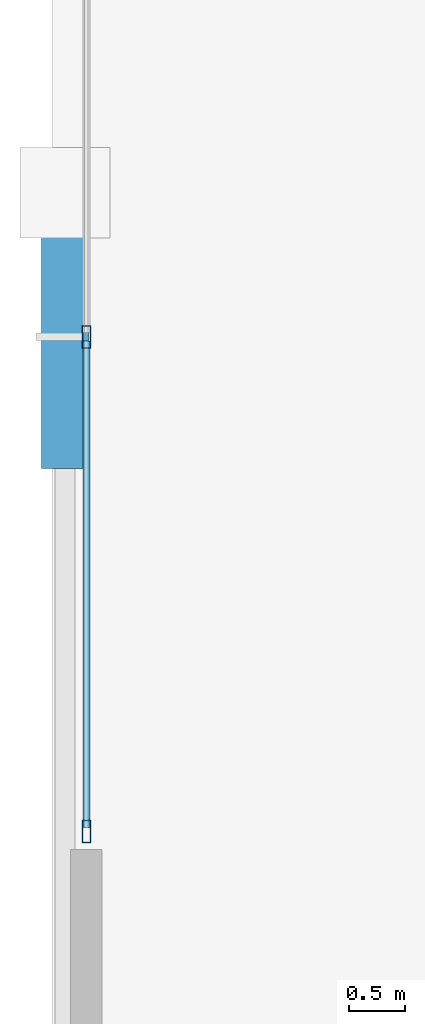
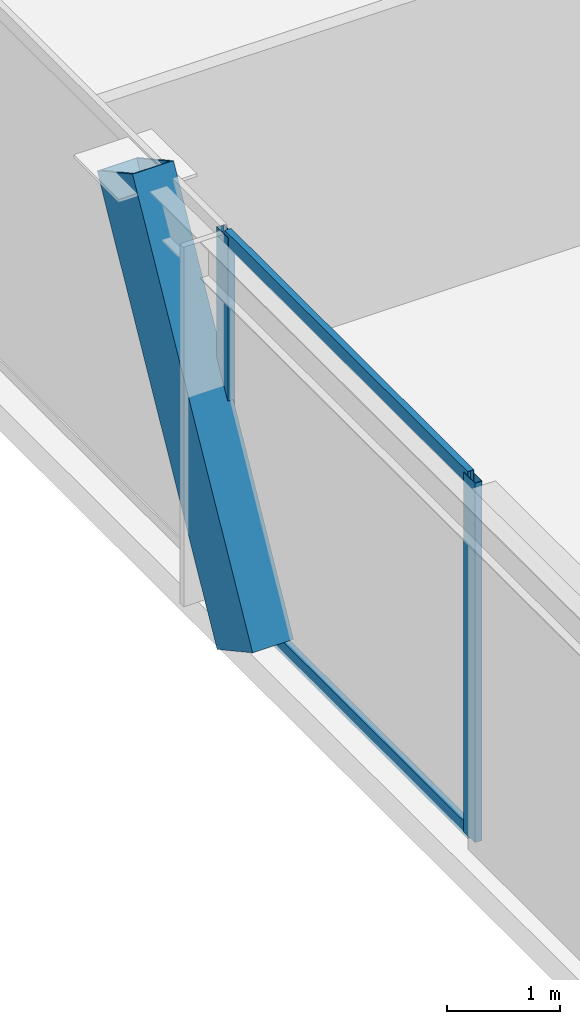
# One storey, part 9 of 46: 5 members, 1 element without a shape of its own.
"""IFC4 building model written with IfcOpenShell, lengths in metres."""

from ifc_helpers import new_model, si_unit, direction, frame, origin, origin_2d, place, context, subcontext, project, spatial, hollow_rectangle, extrude, material, layer, layer_set, material_profile, profile_set, type_object, element, aggregate, save


model = new_model("IFC4")

# Units and contexts
model_context = context("Model", 3, precision=1e-05, world=origin(), true_north=direction((0.0, 1.0)))
body_context = subcontext(model_context, "Body", "Model", "MODEL_VIEW")
ifc_project = project(units=[si_unit("LENGTHUNIT", "METRE"), si_unit("AREAUNIT", "SQUARE_METRE"), si_unit("VOLUMEUNIT", "CUBIC_METRE"), si_unit("PLANEANGLEUNIT", "RADIAN"), si_unit("MASSUNIT", "GRAM", prefix="KILO")], contexts=[model_context])

# Site, building, storey
site_placement = place(None, origin())
site = spatial("IfcSite", under=ifc_project, at=site_placement, CompositionType="ELEMENT")
building_placement = place(site_placement, origin())
building = spatial("IfcBuilding", under=site, at=building_placement, Name="Orvanel Arch Residences", CompositionType="ELEMENT")
storey_placement = place(building_placement, frame((0.0, 0.0, 14.10009765625)))
storey = spatial("IfcBuildingStorey", under=building, at=storey_placement, Name="L03", CompositionType="ELEMENT", Elevation=14.10009765625)

# Member
ifc_material_1 = material(Name="Structural steel AS/NZS 3678 Grade 350", Category="steel")
ifc_material_profile_1 = material_profile(ifc_material_1, hollow_rectangle(XDim=0.419921875, YDim=0.719970703125, WallThickness=0.02490234375, at=origin_2d()), Name="RHS720x420x25")
ifc_profile_set_1 = profile_set([ifc_material_profile_1], Name="Structural steel AS/NZS 3678 Grade 350")
member_type_1 = type_object("IfcMemberType", Name="BR-720RHS-EXT", PredefinedType="BRACE", material=ifc_profile_set_1)
member_1_placement = place(storey_placement, frame((1.360107421875, 22.216064453125, 0.0), z_axis=(0.0, 0.480032945873, 0.877250460745), x_axis=(-1.0, 0.0, 0.0)))
element("IfcMember", 1, at=member_1_placement, inside=storey, type_object=member_type_1, Name="L03 Podium Multi-Storey V-Strut Pair W1 Leg 2", PredefinedType="BRACE", context=body_context, shape_type="SweptSolid", body=[
    extrude(hollow_rectangle(XDim=0.419921875, YDim=0.719970703125, WallThickness=0.02490234375, at=origin_2d()), origin(), (0.0, 0.0, 1.0), 4.445556640625),
])

# Curtain wall, members
ifc_material_2 = material(Name="Bronze-anodised aluminium AA6063-T6", Category="aluminium")
ifc_layer = layer(ifc_material_2, 0.199951171875)
ifc_layer_set = layer_set([ifc_layer], Name="Bronze-anodised aluminium AA6063-T6")
curtain_wall_type = type_object("IfcCurtainWallType", Name="CW1-POD-SYS", PredefinedType="NOTDEFINED", material=ifc_layer_set)
curtain_wall_placement = place(storey_placement, origin())
curtain_wall = element("IfcCurtainWall", 2, at=curtain_wall_placement, inside=storey, type_object=curtain_wall_type, Name="L03 CW1-POD-SYS Unitised Curtain Wall", PredefinedType="NOTDEFINED")
ifc_material_profile_2 = material_profile(ifc_material_2, hollow_rectangle(XDim=0.074951171875, YDim=0.199951171875, WallThickness=0.0048828125, at=origin_2d()), Name="ALU200x75x5")
ifc_profile_set_2 = profile_set([ifc_material_profile_2], Name="Bronze-anodised aluminium AA6063-T6")
member_type_2 = type_object("IfcMemberType", Name="MUL-200x75", PredefinedType="MULLION", material=ifc_profile_set_2)
member_2_placement = place(storey_placement, frame((1.550048828125, 23.070068359375, 0.0), z_axis=(0.0, 0.0, 1.0), x_axis=(1.0, 0.0, 0.0)))
member_2 = element("IfcMember", 3, at=member_2_placement, type_object=member_type_2, Name="CW-S1 mullion 4", PredefinedType="MULLION", context=body_context, shape_type="SweptSolid", body=[
    extrude(hollow_rectangle(XDim=0.074951171875, YDim=0.199951171875, WallThickness=0.0048828125, at=origin_2d()), origin(), (0.0, 0.0, 1.0), 3.89990234375),
])
member_3_placement = place(storey_placement, frame((1.550048828125, 18.677490234375, 0.0), z_axis=(0.0, 0.0, 1.0), x_axis=(1.0, 0.0, 0.0)))
member_3 = element("IfcMember", 4, at=member_3_placement, type_object=member_type_2, Name="CW-S1 mullion 5", PredefinedType="MULLION", context=body_context, shape_type="SweptSolid", body=[
    extrude(hollow_rectangle(XDim=0.074951171875, YDim=0.199951171875, WallThickness=0.0048828125, at=origin_2d()), origin(), (0.0, 0.0, 1.0), 3.89990234375),
])
ifc_material_profile_3 = material_profile(ifc_material_2, hollow_rectangle(XDim=0.06494140625, YDim=0.14990234375, WallThickness=0.00390625, at=origin_2d()), Name="ALU150x65x4")
ifc_profile_set_3 = profile_set([ifc_material_profile_3], Name="Bronze-anodised aluminium AA6063-T6")
member_type_3 = type_object("IfcMemberType", Name="TRN-150x65", PredefinedType="USERDEFINED", material=ifc_profile_set_3)
member_4_placement = place(storey_placement, frame((1.550048828125, 23.032470703125, 0.032470703125), z_axis=(0.0, -1.0, 0.0), x_axis=(1.0, 0.0, 0.0)))
member_4 = element("IfcMember", 5, at=member_4_placement, type_object=member_type_3, Name="CW-S1 transom 4.1", ObjectType="TRANSOM", PredefinedType="USERDEFINED", context=body_context, shape_type="SweptSolid", body=[
    extrude(hollow_rectangle(XDim=0.06494140625, YDim=0.14990234375, WallThickness=0.00390625, at=origin_2d()), origin(), (0.0, 0.0, 1.0), 4.3173828125),
])
member_5_placement = place(storey_placement, frame((1.550048828125, 23.032470703125, 3.867431640625), z_axis=(0.0, -1.0, 0.0), x_axis=(1.0, 0.0, 0.0)))
member_5 = element("IfcMember", 6, at=member_5_placement, type_object=member_type_3, Name="CW-S1 transom 4.2", ObjectType="TRANSOM", PredefinedType="USERDEFINED", context=body_context, shape_type="SweptSolid", body=[
    extrude(hollow_rectangle(XDim=0.06494140625, YDim=0.14990234375, WallThickness=0.00390625, at=origin_2d()), origin(), (0.0, 0.0, 1.0), 4.3173828125),
])
aggregate(curtain_wall, [member_2, member_3, member_4, member_5])

save(model, "model.ifc")
